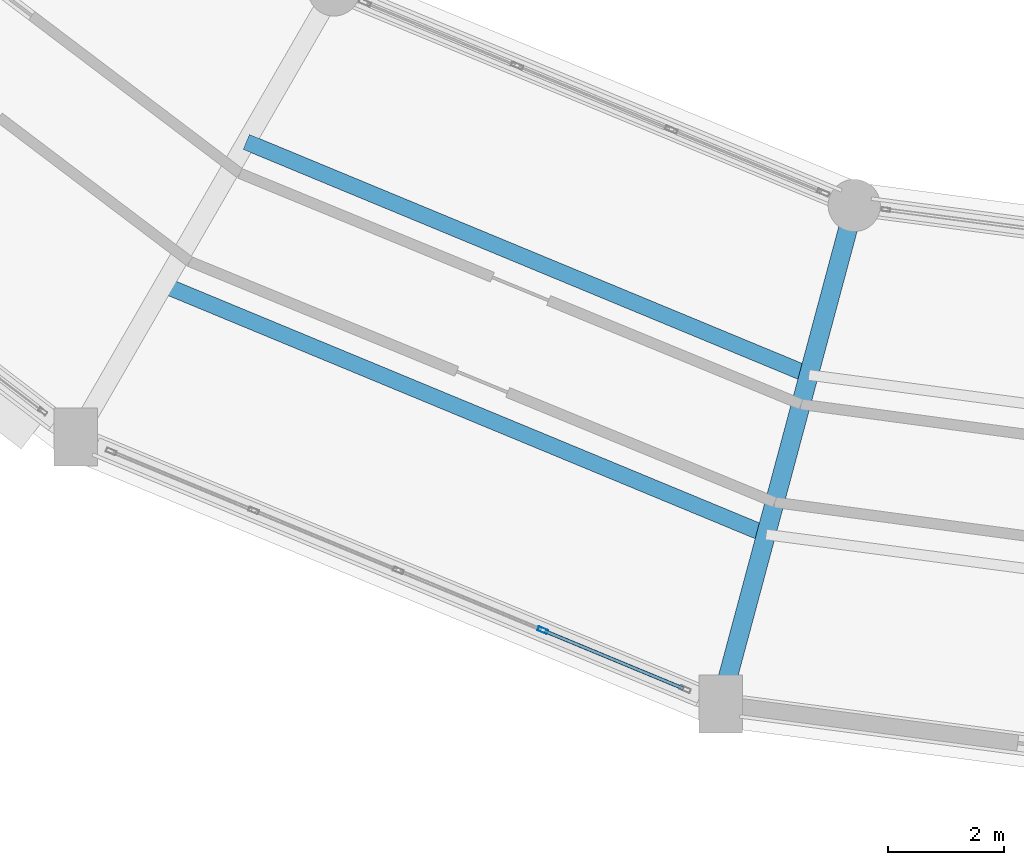
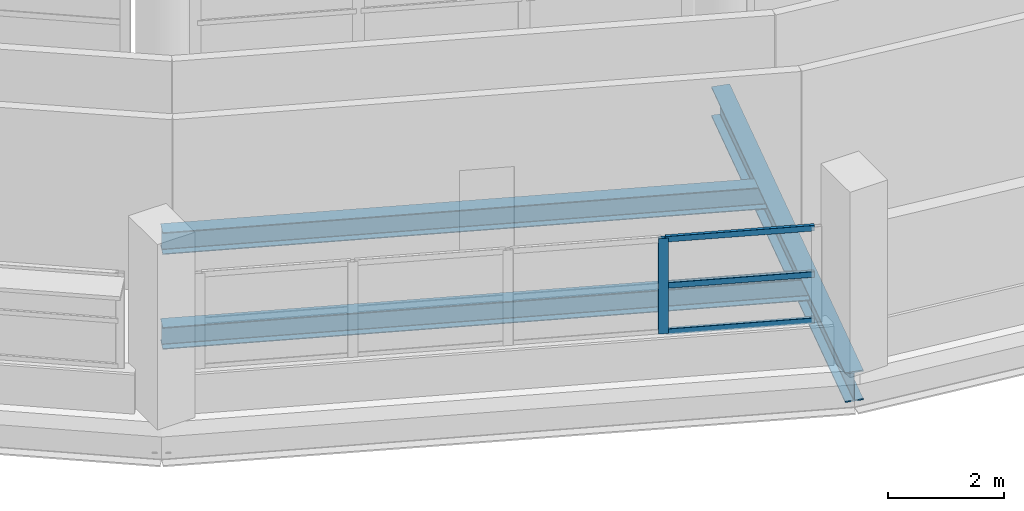
# One storey, part 9 of 88: 4 members, 3 beams, 1 element without a shape of its own.
"""IFC4 building model written with IfcOpenShell, lengths in metres."""

from ifc_helpers import new_model, si_unit, direction, frame, origin, origin_2d, place, context, subcontext, project, spatial, hollow_rectangle, i_section, extrude, material, layer, layer_set, material_profile, profile_set, type_object, element, aggregate, save


model = new_model("IFC4")

# Units and contexts
model_context = context("Model", 3, precision=1e-05, world=origin(), true_north=direction((0.0, 1.0)))
body_context = subcontext(model_context, "Body", "Model", "MODEL_VIEW")
ifc_project = project(units=[si_unit("LENGTHUNIT", "METRE"), si_unit("AREAUNIT", "SQUARE_METRE"), si_unit("VOLUMEUNIT", "CUBIC_METRE"), si_unit("PLANEANGLEUNIT", "RADIAN"), si_unit("MASSUNIT", "GRAM", prefix="KILO")], contexts=[model_context])

# Site, building, storey
site_placement = place(None, origin())
site = spatial("IfcSite", under=ifc_project, at=site_placement, CompositionType="ELEMENT")
building_placement = place(site_placement, origin())
building = spatial("IfcBuilding", under=site, at=building_placement, Name="Vespera Passage Community Centre", CompositionType="ELEMENT")
storey_placement = place(building_placement, frame((0.0, 0.0, 16.5)))
storey = spatial("IfcBuildingStorey", under=building, at=storey_placement, Name="L04", CompositionType="ELEMENT", Elevation=16.5)

# Beams
ifc_material_1 = material(Name="Steel ASTM A992 Grade 50", Category="steel")
ifc_material_profile_1 = material_profile(ifc_material_1, i_section(OverallWidth=0.32763671875, OverallDepth=0.62841796875, WebThickness=0.0166015625, FlangeThickness=0.027587890625, FilletRadius=0.0126953125, at=origin_2d()), Name="W24X146")
ifc_profile_set_1 = profile_set([ifc_material_profile_1], Name="Steel ASTM A992 Grade 50")
beam_type_1 = type_object("IfcBeamType", Name="BM-G-W24X146", PredefinedType="BEAM", material=ifc_profile_set_1)
beam_1_placement = place(storey_placement, frame((68.371826171875, 29.567626953125, -0.6142578125), z_axis=(-0.258811497245, -0.9659278487, 0.0), x_axis=(0.9659278487, -0.258811497245, 0.0)))
element("IfcBeam", 1, at=beam_1_placement, inside=storey, type_object=beam_type_1, Name="V4 L04 Radial Girder 17", PredefinedType="BEAM", context=body_context, shape_type="SweptSolid", body=[
    extrude(i_section(OverallWidth=0.32763671875, OverallDepth=0.62841796875, WebThickness=0.0166015625, FlangeThickness=0.027587890625, FilletRadius=0.0126953125, at=origin_2d()), origin(), (0.0, 0.0, 1.0), 8.900146484375),
])
ifc_material_2 = material(Name="Steel ASTM A992 Grade 50", Category="steel")
ifc_material_profile_2 = material_profile(ifc_material_2, i_section(OverallWidth=0.280517578125, OverallDepth=0.46240234375, WebThickness=0.0107421875, FlangeThickness=0.017333984375, FilletRadius=0.01025390625, at=origin_2d()), Name="W18X76")
ifc_profile_set_2 = profile_set([ifc_material_profile_2], Name="Steel ASTM A992 Grade 50")
beam_type_2 = type_object("IfcBeamType", Name="BM-J-W18X76", PredefinedType="JOIST", material=ifc_profile_set_2)
beam_2_placement = place(storey_placement, frame((57.886962890625, 30.663330078125, -0.53125), z_axis=(0.92387968492, -0.382683064417, 0.0), x_axis=(0.382683064417, 0.92387968492, 0.0)))
element("IfcBeam", 2, at=beam_2_placement, inside=storey, type_object=beam_type_2, Name="V4 L04 Floor Joist 16.1", PredefinedType="JOIST", context=body_context, shape_type="SweptSolid", body=[
    extrude(i_section(OverallWidth=0.280517578125, OverallDepth=0.46240234375, WebThickness=0.0107421875, FlangeThickness=0.017333984375, FilletRadius=0.01025390625, at=origin_2d()), origin(), (0.0, 0.0, 1.0), 10.5009765625),
])
beam_3_placement = place(storey_placement, frame((56.462890625, 28.19677734375, -0.53125), z_axis=(0.923884257257, -0.38267202562, 0.0), x_axis=(0.38267202562, 0.923884257257, 0.0)))
element("IfcBeam", 3, at=beam_3_placement, inside=storey, type_object=beam_type_2, Name="V4 L04 Floor Joist 16.2", PredefinedType="JOIST", context=body_context, shape_type="SweptSolid", body=[
    extrude(i_section(OverallWidth=0.280517578125, OverallDepth=0.46240234375, WebThickness=0.0107421875, FlangeThickness=0.017333984375, FilletRadius=0.01025390625, at=origin_2d()), origin(), (0.0, 0.0, 1.0), 11.24462890625),
])

# Curtain wall, members
ifc_material_3 = material(Name="Anodized aluminium 6063-T6", Category="aluminium")
ifc_layer = layer(ifc_material_3, 0.159912109375)
ifc_layer_set = layer_set([ifc_layer], Name="Anodized aluminium 6063-T6")
curtain_wall_type = type_object("IfcCurtainWallType", Name="CW-55E", PredefinedType="NOTDEFINED", material=ifc_layer_set)
curtain_wall_placement = place(storey_placement, origin())
curtain_wall = element("IfcCurtainWall", 4, at=curtain_wall_placement, inside=storey, type_object=curtain_wall_type, Name="V4 L04 Outer Ribbon Curtain Wall 16", PredefinedType="NOTDEFINED")
ifc_material_4 = material(Name="Anodized aluminium 6063-T6", Category="aluminium")
ifc_material_profile_3 = material_profile(ifc_material_4, hollow_rectangle(XDim=0.074951171875, YDim=0.179931640625, WallThickness=0.0048828125, InnerFilletRadius=0.00244140625, OuterFilletRadius=0.0048828125, at=origin_2d()), Name="ALU180X75X5")
ifc_profile_set_3 = profile_set([ifc_material_profile_3], Name="Anodized aluminium 6063-T6")
member_type_1 = type_object("IfcMemberType", Name="MB-CWM-180E", PredefinedType="MULLION", material=ifc_profile_set_3)
member_1_placement = place(storey_placement, frame((63.001953125, 22.240966796875, 0.820068359375), z_axis=(0.0, 0.0, 1.0), x_axis=(-0.382682936255, -0.923879738007, 0.0)))
member_1 = element("IfcMember", 5, at=member_1_placement, type_object=member_type_1, Name="CW-55E mullion 2", PredefinedType="MULLION", context=body_context, shape_type="SweptSolid", body=[
    extrude(hollow_rectangle(XDim=0.074951171875, YDim=0.179931640625, WallThickness=0.0048828125, InnerFilletRadius=0.00244140625, OuterFilletRadius=0.0048828125, at=origin_2d()), origin(), (0.0, 0.0, 1.0), 2.005615234375),
])
ifc_material_5 = material(Name="Anodized aluminium 6063-T6", Category="aluminium")
ifc_material_profile_4 = material_profile(ifc_material_5, hollow_rectangle(XDim=0.06005859375, YDim=0.1201171875, WallThickness=0.00390625, InnerFilletRadius=0.001953125, OuterFilletRadius=0.00390625, at=origin_2d()), Name="ALU120X60X4")
ifc_profile_set_4 = profile_set([ifc_material_profile_4], Name="Anodized aluminium 6063-T6")
member_type_2 = type_object("IfcMemberType", Name="MB-CWT-120E", PredefinedType="USERDEFINED", material=ifc_profile_set_4)
member_2_placement = place(storey_placement, frame((65.425537109375, 21.237060546875, 0.85009765625), z_axis=(-0.923882193286, 0.382677008624, 0.0), x_axis=(-0.382677008624, -0.923882193286, 0.0)))
member_2 = element("IfcMember", 6, at=member_2_placement, type_object=member_type_2, Name="CW-55E transom 1.1", ObjectType="TRANSOM", PredefinedType="USERDEFINED", context=body_context, shape_type="SweptSolid", body=[
    extrude(hollow_rectangle(XDim=0.06005859375, YDim=0.1201171875, WallThickness=0.00390625, InnerFilletRadius=0.001953125, OuterFilletRadius=0.00390625, at=origin_2d()), origin(), (0.0, 0.0, 1.0), 2.585693359375),
])
member_3_placement = place(storey_placement, frame((65.425537109375, 21.237060546875, 1.82275390625), z_axis=(-0.923882193286, 0.382677008624, 0.0), x_axis=(-0.382677008624, -0.923882193286, 0.0)))
member_3 = element("IfcMember", 7, at=member_3_placement, type_object=member_type_2, Name="CW-55E transom 1.2", ObjectType="TRANSOM", PredefinedType="USERDEFINED", context=body_context, shape_type="SweptSolid", body=[
    extrude(hollow_rectangle(XDim=0.06005859375, YDim=0.1201171875, WallThickness=0.00390625, InnerFilletRadius=0.001953125, OuterFilletRadius=0.00390625, at=origin_2d()), origin(), (0.0, 0.0, 1.0), 2.585693359375),
])
member_4_placement = place(storey_placement, frame((65.425537109375, 21.237060546875, 2.795654296875), z_axis=(-0.923882193286, 0.382677008624, 0.0), x_axis=(-0.382677008624, -0.923882193286, 0.0)))
member_4 = element("IfcMember", 8, at=member_4_placement, type_object=member_type_2, Name="CW-55E transom 1.3", ObjectType="TRANSOM", PredefinedType="USERDEFINED", context=body_context, shape_type="SweptSolid", body=[
    extrude(hollow_rectangle(XDim=0.06005859375, YDim=0.1201171875, WallThickness=0.00390625, InnerFilletRadius=0.001953125, OuterFilletRadius=0.00390625, at=origin_2d()), origin(), (0.0, 0.0, 1.0), 2.585693359375),
])
aggregate(curtain_wall, [member_1, member_2, member_3, member_4])

save(model, "model.ifc")
